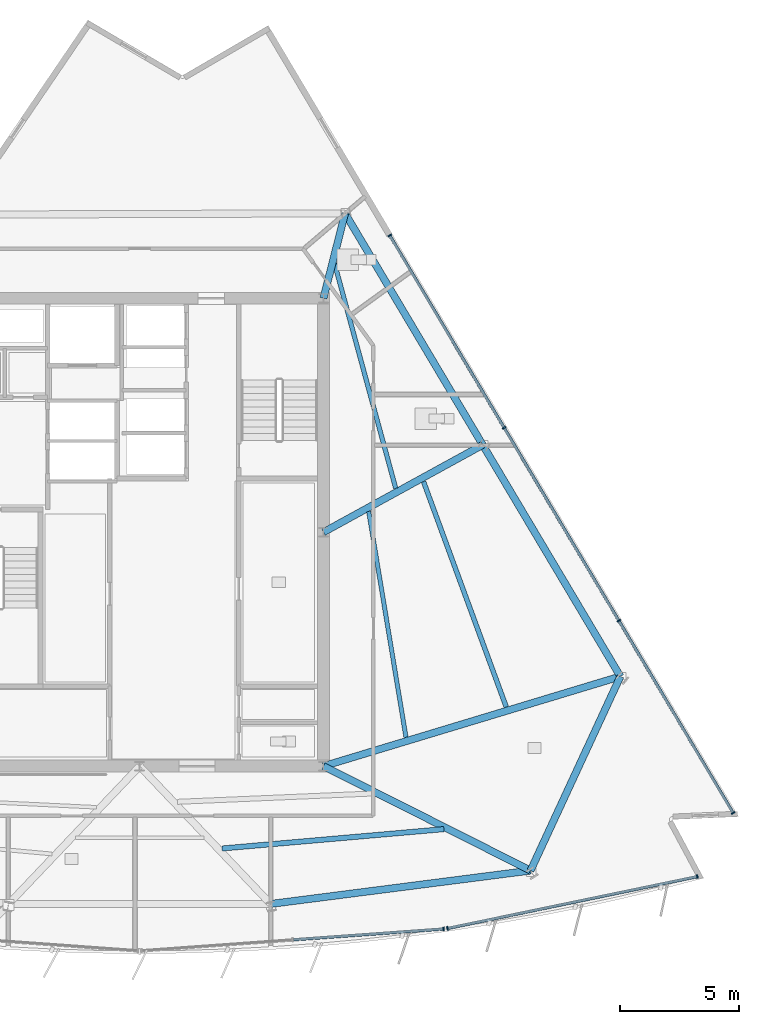
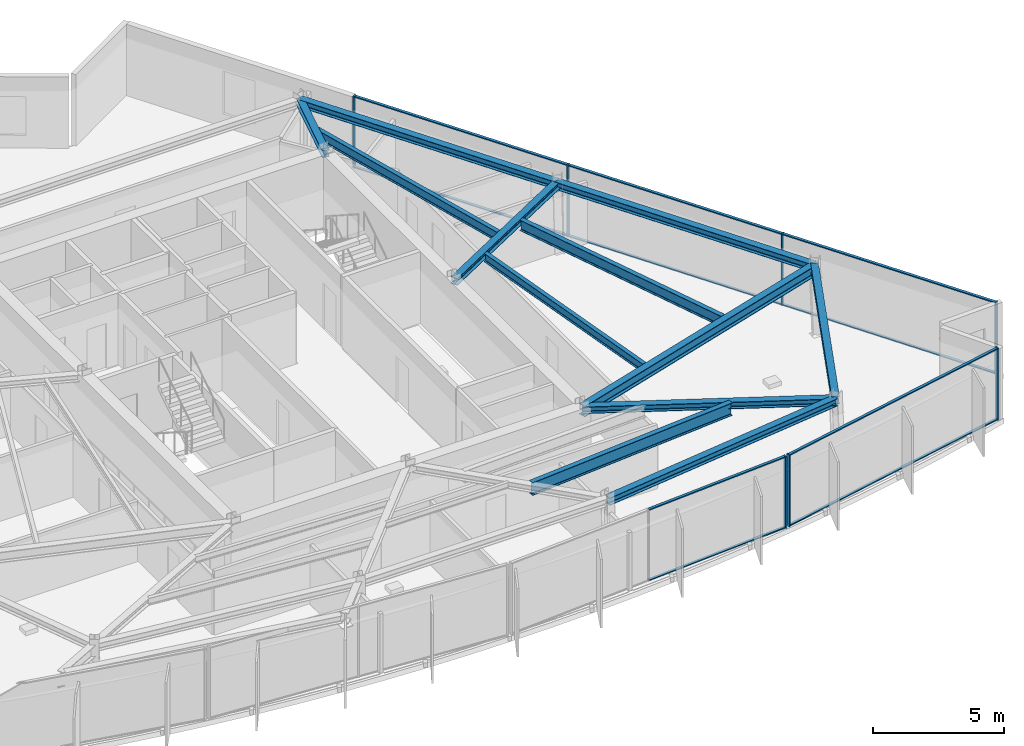
# One storey, part 5 of 13: 17 members, 12 beams, 3 elements without a shape of their own.
"""IFC4 building model written with IfcOpenShell, lengths in metres."""

import ifcopenshell
import ifcopenshell.guid

model = None  # the IFC model being written
_history = None  # IfcOwnerHistory: only IFC2X3 demands one
_inside = {}  # id of a spatial element -> (the spatial element, [elements in it])
_under = {}  # id of a project, library or spatial element -> (it, [spatial elements below it])
_declared = {}  # id of a project -> (the project, [libraries it declares])
_typed = {}  # id of a type object -> (the type object, [elements of that type])
_made_of = {}  # id of a material, layer set ... -> (it, [elements and type objects made of it])


def new_model(schema):
    """Start an empty IFC model of exactly this schema.

    Asked for "IFC4X3", IfcOpenShell would pick the latest addendum, in which some entities
    have other attributes; the version numbers below select the first issue.
    IFC2X3 requires an IfcOwnerHistory on every rooted entity: one is made here for all.
    """
    global model, _history
    if schema == "IFC4X3":
        model = ifcopenshell.file(schema_version=(4, 3, 0, 0))
    else:
        model = ifcopenshell.file(schema=schema)
    _inside.clear()
    _under.clear()
    _declared.clear()
    _typed.clear()
    _made_of.clear()
    _history = None
    if model.schema == "IFC2X3":
        org = make("IfcOrganization", Name="unknown")
        user = make(
            "IfcPersonAndOrganization",
            ThePerson=make("IfcPerson", FamilyName="unknown"),
            TheOrganization=org,
        )
        app = make(
            "IfcApplication",
            ApplicationDeveloper=org,
            Version="unknown",
            ApplicationFullName="unknown",
            ApplicationIdentifier="unknown",
        )
        _history = make(
            "IfcOwnerHistory",
            OwningUser=user,
            OwningApplication=app,
            ChangeAction="ADDED",
            CreationDate=0,
        )
    return model


def make(cls, **values):
    """One entity of the class cls with the attributes given. An attribute that is None is left unset."""
    return model.create_entity(
        cls, **{name: value for name, value in values.items() if value is not None}
    )


def rooted(cls, **values):
    """An entity with a GlobalId (a new one), such as an element, a storey or a relation."""
    return make(cls, GlobalId=ifcopenshell.guid.new(), OwnerHistory=_history, **values)


def si_unit(unit_type, name, prefix=None):
    """IfcSIUnit, for example si_unit("LENGTHUNIT", "METRE", prefix="MILLI")."""
    return make("IfcSIUnit", UnitType=unit_type, Prefix=prefix, Name=name)


def assignment(units):
    """IfcUnitAssignment: the units of a project."""
    return None if units is None else make("IfcUnitAssignment", Units=units)


def point(xyz):
    """IfcCartesianPoint."""
    return None if xyz is None else make("IfcCartesianPoint", Coordinates=xyz)


def direction(xyz):
    """IfcDirection."""
    return None if xyz is None else make("IfcDirection", DirectionRatios=xyz)


def frame(location, z_axis=None, x_axis=None):
    """IfcAxis2Placement3D, a coordinate frame: its origin and axes. An axis left out is left unset."""
    return make(
        "IfcAxis2Placement3D",
        Location=point(location),
        Axis=direction(z_axis),
        RefDirection=direction(x_axis),
    )


def frame_2d(location, x_axis=None):
    """IfcAxis2Placement2D, a coordinate frame in the plane: its origin and x axis."""
    return make(
        "IfcAxis2Placement2D", Location=point(location), RefDirection=direction(x_axis)
    )


def origin():
    """The frame at (0, 0, 0) with its axes left unset."""
    return frame((0.0, 0.0, 0.0))


def origin_2d():
    """The frame at (0, 0) in the plane with its x axis left unset."""
    return frame_2d((0.0, 0.0))


def place(relative_to, where):
    """IfcLocalPlacement: puts the frame where relative to a parent placement (None: the world)."""
    return make(
        "IfcLocalPlacement", PlacementRelTo=relative_to, RelativePlacement=where
    )


def context(
    kind, dimensions, precision=None, world=None, true_north=None, identifier=None
):
    """IfcGeometricRepresentationContext, for example the 3D "Model" context."""
    return make(
        "IfcGeometricRepresentationContext",
        ContextIdentifier=identifier,
        ContextType=kind,
        CoordinateSpaceDimension=dimensions,
        Precision=precision,
        WorldCoordinateSystem=world,
        TrueNorth=true_north,
    )


def subcontext(parent, identifier, kind, view, scale=None):
    """IfcGeometricRepresentationSubContext, for example "Body" below "Model"."""
    return make(
        "IfcGeometricRepresentationSubContext",
        ContextIdentifier=identifier,
        ContextType=kind,
        ParentContext=parent,
        TargetScale=scale,
        TargetView=view,
    )


def project(units=None, contexts=None):
    """IfcProject with its units and contexts."""
    return rooted(
        "IfcProject",
        Name="project",
        RepresentationContexts=contexts,
        UnitsInContext=assignment(units),
    )


def spatial(cls, under=None, at=None, **own):
    """A site, building, storey or space (cls), placed at a placement, below another one or the project."""
    s = rooted(cls, ObjectPlacement=at, **own)
    if under is not None:
        _under.setdefault(under.id(), (under, []))[1].append(s)
    return s


def profile(cls, at=None, kind="AREA", **sizes):
    """A parametric profile (cls). Its sizes go by their IFC names, for example OverallWidth=200.0."""
    return make(cls, ProfileType=kind, Position=at, **sizes)


def rectangle(**sizes):
    """IfcRectangleProfileDef."""
    return profile("IfcRectangleProfileDef", **sizes)


def i_section(**sizes):
    """IfcIShapeProfileDef."""
    return profile("IfcIShapeProfileDef", **sizes)


def extrude(swept, where, along, depth):
    """IfcExtrudedAreaSolid: the profile swept, set in the frame where, extruded along a direction by depth."""
    return make(
        "IfcExtrudedAreaSolid",
        SweptArea=swept,
        Position=where,
        ExtrudedDirection=direction(along),
        Depth=depth,
    )


def shape(context_of_items, identifier, shape_type, items):
    """IfcShapeRepresentation: the items that make up one representation, for example the "Body"."""
    return make(
        "IfcShapeRepresentation",
        ContextOfItems=context_of_items,
        RepresentationIdentifier=identifier,
        RepresentationType=shape_type,
        Items=items,
    )


def material(Name=None, Category=None):
    """IfcMaterial."""
    return make("IfcMaterial", Name=Name, Category=Category)


def material_profile(
    of_material, cross_section, Name=None, Category=None, Priority=None
):
    """IfcMaterialProfile: a cross section and its material."""
    return make(
        "IfcMaterialProfile",
        Name=Name,
        Material=of_material,
        Profile=cross_section,
        Priority=Priority,
        Category=Category,
    )


def profile_set(profiles, Name=None, composite=None):
    """IfcMaterialProfileSet."""
    return make(
        "IfcMaterialProfileSet",
        Name=Name,
        MaterialProfiles=profiles,
        CompositeProfile=composite,
    )


def made_of(thing, what):
    """Note that an element or type object is made of a material, layer set ...; save() writes the relation."""
    if what is not None:
        _made_of.setdefault(what.id(), (what, []))[1].append(thing)
    return thing


def type_object(cls, material=None, **own):
    """A type object (cls), such as IfcWallType, which elements share."""
    return made_of(rooted(cls, **own), material)


def element(
    cls,
    number,
    at=None,
    inside=None,
    cuts=None,
    type_object=None,
    material=None,
    context=None,
    identifier="Body",
    shape_type=None,
    held_by="IfcProductDefinitionShape",
    body=None,
    shapes=None,
    **own,
):
    """One element of the class cls, such as IfcWall. Its Tag is "e" and its number.

    at: its placement. inside: the storey or other place that contains it. cuts: it is an
    opening in that element (IfcRelVoidsElement). A single representation is given by context,
    identifier, shape_type and body (its items); several are given by shapes. held_by: the class
    of the entity that holds the representations. save() writes the other relations.
    """
    e = rooted(cls, Tag="e%d" % number, ObjectPlacement=at, **own)
    if body is not None:
        shapes = [shape(context, identifier, shape_type, body)]
    if shapes is not None:
        e.Representation = make(held_by, Representations=shapes)
    if inside is not None:
        _inside.setdefault(inside.id(), (inside, []))[1].append(e)
    if cuts is not None:
        rooted(
            "IfcRelVoidsElement", RelatingBuildingElement=cuts, RelatedOpeningElement=e
        )
    if type_object is not None:
        _typed.setdefault(type_object.id(), (type_object, []))[1].append(e)
    return made_of(e, material)


def aggregate(whole, parts):
    """IfcRelAggregates: a whole, such as a stair, and the parts it consists of."""
    return rooted("IfcRelAggregates", RelatingObject=whole, RelatedObjects=parts)


def save(model, path):
    """Write the relations noted so far, then the file.

    IfcRelAggregates (storeys below a building ...), IfcRelContainedInSpatialStructure (elements
    in a storey), IfcRelDefinesByType, IfcRelAssociatesMaterial and IfcRelDeclares: one each for
    every whole, place, type object, material and project.
    """
    for whole, parts in _under.values():
        aggregate(whole, parts)
    for where, things in _inside.values():
        rooted(
            "IfcRelContainedInSpatialStructure",
            RelatedElements=things,
            RelatingStructure=where,
        )
    for kind, things in _typed.values():
        rooted("IfcRelDefinesByType", RelatedObjects=things, RelatingType=kind)
    for what, things in _made_of.values():
        rooted("IfcRelAssociatesMaterial", RelatedObjects=things, RelatingMaterial=what)
    for by, libraries in _declared.values():
        rooted("IfcRelDeclares", RelatingContext=by, RelatedDefinitions=libraries)
    model.write(path)


model = new_model("IFC4")

# Units and contexts
model_context = context("Model", 3, precision=1e-05, world=origin(), true_north=direction((0.0, 1.0)))
body_context = subcontext(model_context, "Body", "Model", "MODEL_VIEW")
ifc_project = project(units=[si_unit("LENGTHUNIT", "METRE"), si_unit("AREAUNIT", "SQUARE_METRE"), si_unit("VOLUMEUNIT", "CUBIC_METRE"), si_unit("PLANEANGLEUNIT", "RADIAN"), si_unit("MASSUNIT", "GRAM", prefix="KILO")], contexts=[model_context])

# Site, building, storey
site_placement = place(None, origin())
site = spatial("IfcSite", under=ifc_project, at=site_placement, CompositionType="ELEMENT")
building_placement = place(site_placement, origin())
building = spatial("IfcBuilding", under=site, at=building_placement, Name="Savorim Split Tower", CompositionType="ELEMENT")
storey_placement = place(building_placement, frame((0.0, 0.0, 223.5)))
storey = spatial("IfcBuildingStorey", under=building, at=storey_placement, Name="L59", CompositionType="ELEMENT", Elevation=223.5)

# Beams
ifc_material_1 = material(Name="Steel S355", Category="steel")
ifc_material_profile_1 = material_profile(ifc_material_1, i_section(OverallWidth=0.179931640625, OverallDepth=0.39990234375, WebThickness=0.008544921875, FlangeThickness=0.013427734375, FilletRadius=0.02099609375, at=origin_2d()), Name="IPE 400")
ifc_profile_set_1 = profile_set([ifc_material_profile_1], Name="Steel S355")
beam_type_1 = type_object("IfcBeamType", Name="BM-JST-IPE400", PredefinedType="JOIST", material=ifc_profile_set_1)
beam_1_placement = place(storey_placement, frame((11.156494140625, -8.189697265625, 3.14990234375), z_axis=(-0.163031512704, 0.98662086227, 0.0), x_axis=(-0.98662086227, -0.163031512704, 0.0)))
element("IfcBeam", 1, at=beam_1_placement, inside=storey, type_object=beam_type_1, Name="L59 Secondary Floor Joist JS-08", PredefinedType="JOIST", context=body_context, shape_type="SweptSolid", body=[
    extrude(i_section(OverallWidth=0.179931640625, OverallDepth=0.39990234375, WebThickness=0.008544921875, FlangeThickness=0.013427734375, FilletRadius=0.02099609375, at=origin_2d()), origin(), (0.0, 0.0, 1.0), 9.583984375),
])
ifc_material_profile_2 = material_profile(ifc_material_1, i_section(OverallWidth=0.18994140625, OverallDepth=0.449951171875, WebThickness=0.009521484375, FlangeThickness=0.0146484375, FilletRadius=0.02099609375, at=origin_2d()), Name="IPE 450")
ifc_profile_set_2 = profile_set([ifc_material_profile_2], Name="Steel S355")
beam_type_2 = type_object("IfcBeamType", Name="BM-JST-IPE450", PredefinedType="JOIST", material=ifc_profile_set_2)
beam_2_placement = place(storey_placement, frame((10.7265625, 2.23681640625, 3.125), z_axis=(-0.262456722044, 0.964943764711, 0.0), x_axis=(-0.964943764711, -0.262456722044, 0.0)))
element("IfcBeam", 2, at=beam_2_placement, inside=storey, type_object=beam_type_2, Name="L59 Secondary Floor Joist JS-07", PredefinedType="JOIST", context=body_context, shape_type="SweptSolid", body=[
    extrude(i_section(OverallWidth=0.18994140625, OverallDepth=0.449951171875, WebThickness=0.009521484375, FlangeThickness=0.0146484375, FilletRadius=0.02099609375, at=origin_2d()), origin(), (0.0, 0.0, 1.0), 9.78759765625),
])
ifc_material_profile_3 = material_profile(ifc_material_1, i_section(OverallWidth=0.199951171875, OverallDepth=0.5, WebThickness=0.01025390625, FlangeThickness=0.01611328125, FilletRadius=0.02099609375, at=origin_2d()), Name="IPE 500")
ifc_profile_set_3 = profile_set([ifc_material_profile_3], Name="Steel S355")
beam_type_3 = type_object("IfcBeamType", Name="BM-JST-IPE500", PredefinedType="JOIST", material=ifc_profile_set_3)
beam_3_placement = place(storey_placement, frame((15.356201171875, -6.91943359375, 3.10009765625), z_axis=(-0.344687760073, 0.938717395202, 0.0), x_axis=(-0.938717395202, -0.344687760073, 0.0)))
element("IfcBeam", 3, at=beam_3_placement, inside=storey, type_object=beam_type_3, Name="L59 Secondary Floor Joist JS-06", PredefinedType="JOIST", context=body_context, shape_type="SweptSolid", body=[
    extrude(i_section(OverallWidth=0.199951171875, OverallDepth=0.5, WebThickness=0.01025390625, FlangeThickness=0.01611328125, FilletRadius=0.02099609375, at=origin_2d()), origin(), (0.0, 0.0, 1.0), 10.052734375),
])
ifc_material_profile_4 = material_profile(ifc_material_1, i_section(OverallWidth=0.219970703125, OverallDepth=0.60009765625, WebThickness=0.011962890625, FlangeThickness=0.01904296875, FilletRadius=0.02392578125, at=origin_2d()), Name="IPE 600")
ifc_profile_set_4 = profile_set([ifc_material_profile_4], Name="Steel S355")
beam_type_4 = type_object("IfcBeamType", Name="BM-JST-IPE600", PredefinedType="JOIST", material=ifc_profile_set_4)
beam_4_placement = place(storey_placement, frame((3.4521484375, -12.84912109375, 3.050048828125), z_axis=(0.996215306101, 0.086919870519, 0.0), x_axis=(-0.086919870519, 0.996215306101, 0.0)))
element("IfcBeam", 4, at=beam_4_placement, inside=storey, type_object=beam_type_4, Name="L59 Secondary Floor Joist JS-04", PredefinedType="JOIST", context=body_context, shape_type="SweptSolid", body=[
    extrude(i_section(OverallWidth=0.219970703125, OverallDepth=0.60009765625, WebThickness=0.011962890625, FlangeThickness=0.01904296875, FilletRadius=0.02392578125, at=origin_2d()), origin(), (0.0, 0.0, 1.0), 9.328125),
])
ifc_material_profile_5 = material_profile(ifc_material_1, i_section(OverallWidth=0.300048828125, OverallDepth=0.320068359375, WebThickness=0.011474609375, FlangeThickness=0.0205078125, FilletRadius=0.027099609375, at=origin_2d()), Name="HEB 320")
ifc_profile_set_5 = profile_set([ifc_material_profile_5], Name="Steel S355")
beam_type_5 = type_object("IfcBeamType", Name="BM-PRI-HEB320", PredefinedType="BEAM", material=ifc_profile_set_5)
beam_5_placement = place(storey_placement, frame((16.373779296875, -13.774169921875, 3.18994140625), z_axis=(-0.892883832921, 0.450287087211, 0.0), x_axis=(-0.450287087211, -0.892883832921, 0.0)))
element("IfcBeam", 5, at=beam_5_placement, inside=storey, type_object=beam_type_5, Name="L59 Primary Floor Girder RG-04", PredefinedType="BEAM", context=body_context, shape_type="SweptSolid", body=[
    extrude(i_section(OverallWidth=0.300048828125, OverallDepth=0.320068359375, WebThickness=0.011474609375, FlangeThickness=0.0205078125, FilletRadius=0.027099609375, at=origin_2d()), origin(), (0.0, 0.0, 1.0), 9.71435546875),
])
beam_6_placement = place(storey_placement, frame((14.37060546875, 4.057373046875, 3.18994140625), z_axis=(-0.87684732236, -0.480768939585, 0.0), x_axis=(0.480768939585, -0.87684732236, 0.0)))
element("IfcBeam", 6, at=beam_6_placement, inside=storey, type_object=beam_type_5, Name="L59 Primary Floor Girder RG-06", PredefinedType="BEAM", context=body_context, shape_type="SweptSolid", body=[
    extrude(i_section(OverallWidth=0.300048828125, OverallDepth=0.320068359375, WebThickness=0.011474609375, FlangeThickness=0.0205078125, FilletRadius=0.027099609375, at=origin_2d()), origin(), (0.0, 0.0, 1.0), 7.607421875),
])
beam_7_placement = place(storey_placement, frame((8.603515625, 13.755859375, 3.18994140625), z_axis=(-0.246275889699, -0.969199765865, 0.0), x_axis=(0.969199765865, -0.246275889699, 0.0)))
element("IfcBeam", 7, at=beam_7_placement, inside=storey, type_object=beam_type_5, Name="L59 Primary Floor Girder RG-07", PredefinedType="BEAM", context=body_context, shape_type="SweptSolid", body=[
    extrude(i_section(OverallWidth=0.300048828125, OverallDepth=0.320068359375, WebThickness=0.011474609375, FlangeThickness=0.0205078125, FilletRadius=0.027099609375, at=origin_2d()), origin(), (0.0, 0.0, 1.0), 3.6689453125),
])
ifc_material_profile_6 = material_profile(ifc_material_1, i_section(OverallWidth=0.300048828125, OverallDepth=0.5, WebThickness=0.014404296875, FlangeThickness=0.028076171875, FilletRadius=0.027099609375, at=origin_2d()), Name="HEB 500")
ifc_profile_set_6 = profile_set([ifc_material_profile_6], Name="Steel S355")
beam_type_6 = type_object("IfcBeamType", Name="BM-PRI-HEB500", PredefinedType="BEAM", material=ifc_profile_set_6)
beam_8_placement = place(storey_placement, frame((20.1376953125, -5.641357421875, 3.10009765625), z_axis=(-0.957247733105, -0.289269385635, 0.0), x_axis=(0.289269385635, -0.957247733105, 0.0)))
element("IfcBeam", 8, at=beam_8_placement, inside=storey, type_object=beam_type_6, Name="L59 Primary Floor Girder RG-05", PredefinedType="BEAM", context=body_context, shape_type="SweptSolid", body=[
    extrude(i_section(OverallWidth=0.300048828125, OverallDepth=0.5, WebThickness=0.014404296875, FlangeThickness=0.028076171875, FilletRadius=0.027099609375, at=origin_2d()), origin(), (0.0, 0.0, 1.0), 12.9931640625),
])
ifc_material_profile_7 = material_profile(ifc_material_1, i_section(OverallWidth=0.300048828125, OverallDepth=0.35009765625, WebThickness=0.010009765625, FlangeThickness=0.017578125, FilletRadius=0.027099609375, at=origin_2d()), Name="HEA 360")
ifc_profile_set_7 = profile_set([ifc_material_profile_7], Name="Steel S355")
beam_type_7 = type_object("IfcBeamType", Name="BM-SPN-HEA360", PredefinedType="SPANDREL", material=ifc_profile_set_7)
beam_9_placement = place(storey_placement, frame((5.48779296875, -15.171875, 3.175048828125), z_axis=(0.991857906554, 0.127349492364, 0.0), x_axis=(-0.127349492364, 0.991857906554, 0.0)))
element("IfcBeam", 9, at=beam_9_placement, inside=storey, type_object=beam_type_7, Name="L59 Perimeter Spandrel Beam 3", PredefinedType="SPANDREL", context=body_context, shape_type="SweptSolid", body=[
    extrude(i_section(OverallWidth=0.300048828125, OverallDepth=0.35009765625, WebThickness=0.010009765625, FlangeThickness=0.017578125, FilletRadius=0.027099609375, at=origin_2d()), origin(), (0.0, 0.0, 1.0), 10.975341796875),
])
beam_10_placement = place(storey_placement, frame((16.373779296875, -13.774169921875, 3.175048828125), z_axis=(0.420006406331, 0.907521139501, 0.0), x_axis=(-0.907521139501, 0.420006406331, 0.0)))
element("IfcBeam", 10, at=beam_10_placement, inside=storey, type_object=beam_type_7, Name="L59 Perimeter Spandrel Beam 4", PredefinedType="SPANDREL", context=body_context, shape_type="SweptSolid", body=[
    extrude(i_section(OverallWidth=0.300048828125, OverallDepth=0.35009765625, WebThickness=0.010009765625, FlangeThickness=0.017578125, FilletRadius=0.027099609375, at=origin_2d()), origin(), (0.0, 0.0, 1.0), 8.961669921875),
])
beam_11_placement = place(storey_placement, frame((20.1376953125, -5.641357421875, 3.175048828125), z_axis=(-0.511093537861, 0.859525098852, 0.0), x_axis=(-0.859525098852, -0.511093537861, 0.0)))
element("IfcBeam", 11, at=beam_11_placement, inside=storey, type_object=beam_type_7, Name="L59 Perimeter Spandrel Beam 5", PredefinedType="SPANDREL", context=body_context, shape_type="SweptSolid", body=[
    extrude(i_section(OverallWidth=0.300048828125, OverallDepth=0.35009765625, WebThickness=0.010009765625, FlangeThickness=0.017578125, FilletRadius=0.027099609375, at=origin_2d()), origin(), (0.0, 0.0, 1.0), 11.283935546875),
])
beam_12_placement = place(storey_placement, frame((14.37060546875, 4.057373046875, 3.175048828125), z_axis=(-0.5111030428, 0.859519446924, 0.0), x_axis=(-0.859519446924, -0.5111030428, 0.0)))
element("IfcBeam", 12, at=beam_12_placement, inside=storey, type_object=beam_type_7, Name="L59 Perimeter Spandrel Beam 6", PredefinedType="SPANDREL", context=body_context, shape_type="SweptSolid", body=[
    extrude(i_section(OverallWidth=0.300048828125, OverallDepth=0.35009765625, WebThickness=0.010009765625, FlangeThickness=0.017578125, FilletRadius=0.027099609375, at=origin_2d()), origin(), (0.0, 0.0, 1.0), 11.28369140625),
])

# Curtain wall, member
ifc_material_2 = material(Name="Dark Ceramic-Fritted Insulated Glass", Category="glass")
curtain_wall_type = type_object("IfcCurtainWallType", Name="CW-TWR-FRIT-B", PredefinedType="NOTDEFINED", material=ifc_material_2)
curtain_wall_1_placement = place(storey_placement, origin())
curtain_wall_1 = element("IfcCurtainWall", 13, at=curtain_wall_1_placement, inside=storey, type_object=curtain_wall_type, Name="L59 Curtain Wall CW-L59-SF3", PredefinedType="NOTDEFINED")
ifc_material_3 = material(Name="Charcoal Anodised Aluminium", Category="aluminium")
ifc_material_profile_8 = material_profile(ifc_material_3, rectangle(XDim=0.159912109375, YDim=0.06005859375, at=origin_2d()), Name="ALU-M 160x60")
ifc_profile_set_8 = profile_set([ifc_material_profile_8], Name="Charcoal Anodised Aluminium")
member_type_1 = type_object("IfcMemberType", Name="CWM-160x60", PredefinedType="MULLION", material=ifc_profile_set_8)
member_1_placement = place(storey_placement, frame((12.732177734375, -16.218994140625, 0.0), z_axis=(0.0, 0.0, 1.0), x_axis=(-0.071558224136, 0.997436424319, 0.0)))
member_1 = element("IfcMember", 14, at=member_1_placement, type_object=member_type_1, Name="CW-03 mullion 3", PredefinedType="MULLION", context=body_context, shape_type="SweptSolid", body=[
    extrude(rectangle(XDim=0.159912109375, YDim=0.06005859375, at=origin_2d()), origin(), (0.0, 0.0, 1.0), 3.35009765625),
])

# Curtain wall, members
curtain_wall_2_placement = place(storey_placement, origin())
curtain_wall_2 = element("IfcCurtainWall", 15, at=curtain_wall_2_placement, inside=storey, type_object=curtain_wall_type, Name="L59 Curtain Wall CW-L59-SF4", PredefinedType="NOTDEFINED")
member_2_placement = place(storey_placement, frame((12.894287109375, -16.196533203125, 0.0), z_axis=(0.0, 0.0, 1.0), x_axis=(-0.203212249506, 0.979134710676, 0.0)))
member_2 = element("IfcMember", 16, at=member_2_placement, type_object=member_type_1, Name="CW-03 mullion 1", PredefinedType="MULLION", context=body_context, shape_type="SweptSolid", body=[
    extrude(rectangle(XDim=0.159912109375, YDim=0.06005859375, at=origin_2d()), origin(), (0.0, 0.0, 1.0), 3.35009765625),
])
member_3_placement = place(storey_placement, frame((23.359619140625, -14.0244140625, 0.0), z_axis=(0.0, 0.0, 1.0), x_axis=(-0.203212249506, 0.979134710676, 0.0)))
member_3 = element("IfcMember", 17, at=member_3_placement, type_object=member_type_1, Name="CW-03 mullion 2", PredefinedType="MULLION", context=body_context, shape_type="SweptSolid", body=[
    extrude(rectangle(XDim=0.159912109375, YDim=0.06005859375, at=origin_2d()), origin(), (0.0, 0.0, 1.0), 3.35009765625),
])

curtain_wall_3_placement = place(storey_placement, origin())
curtain_wall_3 = element("IfcCurtainWall", 18, at=curtain_wall_3_placement, inside=storey, type_object=curtain_wall_type, Name="L59 Curtain Wall CW-L59-EAST", PredefinedType="NOTDEFINED")
member_4_placement = place(storey_placement, frame((24.8623046875, -11.363037109375, 0.0), z_axis=(0.0, 0.0, 1.0), x_axis=(-0.859523513249, -0.51109620442, 0.0)))
member_4 = element("IfcMember", 19, at=member_4_placement, type_object=member_type_1, Name="CW-03 mullion 1", PredefinedType="MULLION", context=body_context, shape_type="SweptSolid", body=[
    extrude(rectangle(XDim=0.159912109375, YDim=0.06005859375, at=origin_2d()), origin(), (0.0, 0.0, 1.0), 3.35009765625),
])
member_5_placement = place(storey_placement, frame((20.072021484375, -3.30712890625, 0.0), z_axis=(0.0, 0.0, 1.0), x_axis=(-0.859523513249, -0.51109620442, 0.0)))
member_5 = element("IfcMember", 20, at=member_5_placement, type_object=member_type_1, Name="CW-03 mullion 2", PredefinedType="MULLION", context=body_context, shape_type="SweptSolid", body=[
    extrude(rectangle(XDim=0.159912109375, YDim=0.06005859375, at=origin_2d()), origin(), (0.0, 0.0, 1.0), 3.35009765625),
])
member_6_placement = place(storey_placement, frame((15.266357421875, 4.7744140625, 0.0), z_axis=(0.0, 0.0, 1.0), x_axis=(-0.859523513249, -0.51109620442, 0.0)))
member_6 = element("IfcMember", 21, at=member_6_placement, type_object=member_type_1, Name="CW-03 mullion 3", PredefinedType="MULLION", context=body_context, shape_type="SweptSolid", body=[
    extrude(rectangle(XDim=0.159912109375, YDim=0.06005859375, at=origin_2d()), origin(), (0.0, 0.0, 1.0), 3.35009765625),
])
member_7_placement = place(storey_placement, frame((10.47607421875, 12.830322265625, 0.0), z_axis=(0.0, 0.0, 1.0), x_axis=(-0.859523513249, -0.51109620442, 0.0)))
member_7 = element("IfcMember", 22, at=member_7_placement, type_object=member_type_1, Name="CW-03 mullion 4", PredefinedType="MULLION", context=body_context, shape_type="SweptSolid", body=[
    extrude(rectangle(XDim=0.159912109375, YDim=0.06005859375, at=origin_2d()), origin(), (0.0, 0.0, 1.0), 3.35009765625),
])

# Member
ifc_material_profile_9 = material_profile(ifc_material_3, rectangle(XDim=0.1201171875, YDim=0.050048828125, at=origin_2d()), Name="ALU-T 120x50")
ifc_profile_set_9 = profile_set([ifc_material_profile_9], Name="Charcoal Anodised Aluminium")
member_type_2 = type_object("IfcMemberType", Name="CWT-120x50", PredefinedType="USERDEFINED", material=ifc_profile_set_9)
member_8_placement = place(storey_placement, frame((6.4365234375, -16.670654296875, 0.02490234375), z_axis=(0.997436952169, 0.071550866153, 0.0), x_axis=(-0.071550866153, 0.997436952169, 0.0)))
member_8 = element("IfcMember", 23, at=member_8_placement, type_object=member_type_2, Name="CW-03 transom 2.1", ObjectType="TRANSOM", PredefinedType="USERDEFINED", context=body_context, shape_type="SweptSolid", body=[
    extrude(rectangle(XDim=0.1201171875, YDim=0.050048828125, at=origin_2d()), origin(), (0.0, 0.0, 1.0), 6.28173828125),
])

member_9_placement = place(storey_placement, frame((6.4365234375, -16.670654296875, 3.324951171875), z_axis=(0.997436952169, 0.071550866153, 0.0), x_axis=(-0.071550866153, 0.997436952169, 0.0)))
member_9 = element("IfcMember", 24, at=member_9_placement, type_object=member_type_2, Name="CW-03 transom 2.2", ObjectType="TRANSOM", PredefinedType="USERDEFINED", context=body_context, shape_type="SweptSolid", body=[
    extrude(rectangle(XDim=0.1201171875, YDim=0.050048828125, at=origin_2d()), origin(), (0.0, 0.0, 1.0), 6.28173828125),
])

aggregate(curtain_wall_1, [member_1, member_8, member_9])

member_10_placement = place(storey_placement, frame((12.923583984375, -16.1904296875, 0.02490234375), z_axis=(0.979133406281, 0.203218534354, 0.0), x_axis=(-0.203218534354, 0.979133406281, 0.0)))
member_10 = element("IfcMember", 25, at=member_10_placement, type_object=member_type_2, Name="CW-03 transom 1.1", ObjectType="TRANSOM", PredefinedType="USERDEFINED", context=body_context, shape_type="SweptSolid", body=[
    extrude(rectangle(XDim=0.1201171875, YDim=0.050048828125, at=origin_2d()), origin(), (0.0, 0.0, 1.0), 10.62841796875),
])

member_11_placement = place(storey_placement, frame((12.923583984375, -16.1904296875, 3.324951171875), z_axis=(0.979133406281, 0.203218534354, 0.0), x_axis=(-0.203218534354, 0.979133406281, 0.0)))
member_11 = element("IfcMember", 26, at=member_11_placement, type_object=member_type_2, Name="CW-03 transom 1.2", ObjectType="TRANSOM", PredefinedType="USERDEFINED", context=body_context, shape_type="SweptSolid", body=[
    extrude(rectangle(XDim=0.1201171875, YDim=0.050048828125, at=origin_2d()), origin(), (0.0, 0.0, 1.0), 10.62841796875),
])

aggregate(curtain_wall_2, [member_2, member_3, member_10, member_11])

member_12_placement = place(storey_placement, frame((24.846923828125, -11.33740234375, 0.02490234375), z_axis=(-0.511087432816, 0.859528729024, 0.0), x_axis=(-0.859528729024, -0.511087432816, 0.0)))
member_12 = element("IfcMember", 27, at=member_12_placement, type_object=member_type_2, Name="CW-03 transom 1.1", ObjectType="TRANSOM", PredefinedType="USERDEFINED", context=body_context, shape_type="SweptSolid", body=[
    extrude(rectangle(XDim=0.1201171875, YDim=0.050048828125, at=origin_2d()), origin(), (0.0, 0.0, 1.0), 9.3125),
])

member_13_placement = place(storey_placement, frame((24.846923828125, -11.33740234375, 3.324951171875), z_axis=(-0.511087432816, 0.859528729024, 0.0), x_axis=(-0.859528729024, -0.511087432816, 0.0)))
member_13 = element("IfcMember", 28, at=member_13_placement, type_object=member_type_2, Name="CW-03 transom 1.2", ObjectType="TRANSOM", PredefinedType="USERDEFINED", context=body_context, shape_type="SweptSolid", body=[
    extrude(rectangle(XDim=0.1201171875, YDim=0.050048828125, at=origin_2d()), origin(), (0.0, 0.0, 1.0), 9.3125),
])

member_14_placement = place(storey_placement, frame((20.056640625, -3.281494140625, 0.02490234375), z_axis=(-0.511086872234, 0.859529062354, 0.0), x_axis=(-0.859529062354, -0.511086872234, 0.0)))
member_14 = element("IfcMember", 29, at=member_14_placement, type_object=member_type_2, Name="CW-03 transom 2.1", ObjectType="TRANSOM", PredefinedType="USERDEFINED", context=body_context, shape_type="SweptSolid", body=[
    extrude(rectangle(XDim=0.1201171875, YDim=0.050048828125, at=origin_2d()), origin(), (0.0, 0.0, 1.0), 9.342529296875),
])

member_15_placement = place(storey_placement, frame((20.056640625, -3.281494140625, 3.324951171875), z_axis=(-0.511086872234, 0.859529062354, 0.0), x_axis=(-0.859529062354, -0.511086872234, 0.0)))
member_15 = element("IfcMember", 30, at=member_15_placement, type_object=member_type_2, Name="CW-03 transom 2.2", ObjectType="TRANSOM", PredefinedType="USERDEFINED", context=body_context, shape_type="SweptSolid", body=[
    extrude(rectangle(XDim=0.1201171875, YDim=0.050048828125, at=origin_2d()), origin(), (0.0, 0.0, 1.0), 9.342529296875),
])

member_16_placement = place(storey_placement, frame((15.2509765625, 4.80029296875, 0.02490234375), z_axis=(-0.511087432816, 0.859528729024, 0.0), x_axis=(-0.859528729024, -0.511087432816, 0.0)))
member_16 = element("IfcMember", 31, at=member_16_placement, type_object=member_type_2, Name="CW-03 transom 3.1", ObjectType="TRANSOM", PredefinedType="USERDEFINED", context=body_context, shape_type="SweptSolid", body=[
    extrude(rectangle(XDim=0.1201171875, YDim=0.050048828125, at=origin_2d()), origin(), (0.0, 0.0, 1.0), 9.3125),
])

member_17_placement = place(storey_placement, frame((15.2509765625, 4.80029296875, 3.324951171875), z_axis=(-0.511087432816, 0.859528729024, 0.0), x_axis=(-0.859528729024, -0.511087432816, 0.0)))
member_17 = element("IfcMember", 32, at=member_17_placement, type_object=member_type_2, Name="CW-03 transom 3.2", ObjectType="TRANSOM", PredefinedType="USERDEFINED", context=body_context, shape_type="SweptSolid", body=[
    extrude(rectangle(XDim=0.1201171875, YDim=0.050048828125, at=origin_2d()), origin(), (0.0, 0.0, 1.0), 9.3125),
])

aggregate(curtain_wall_3, [member_4, member_5, member_6, member_7, member_12, member_13, member_14, member_15, member_16, member_17])

save(model, "model.ifc")
